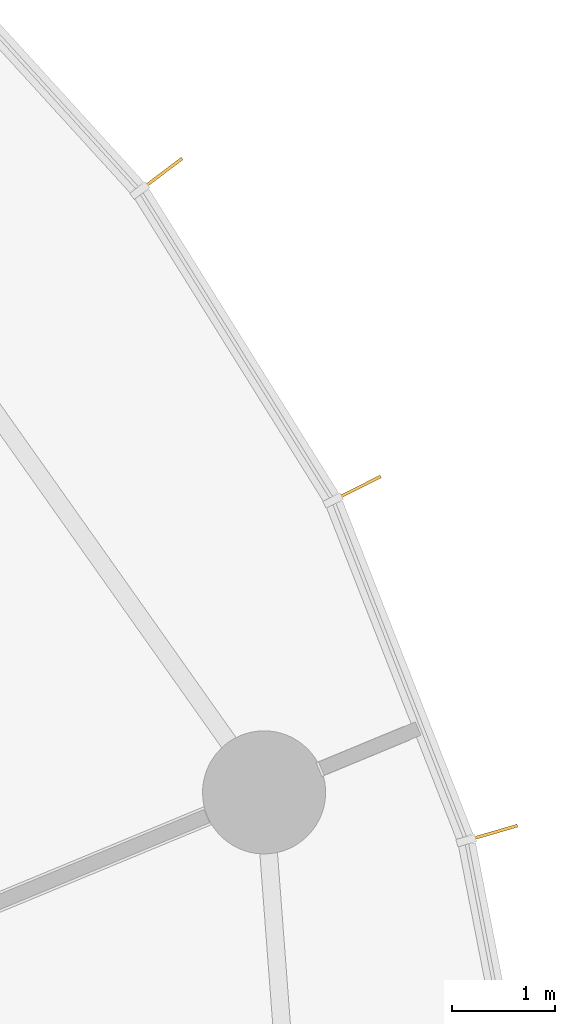
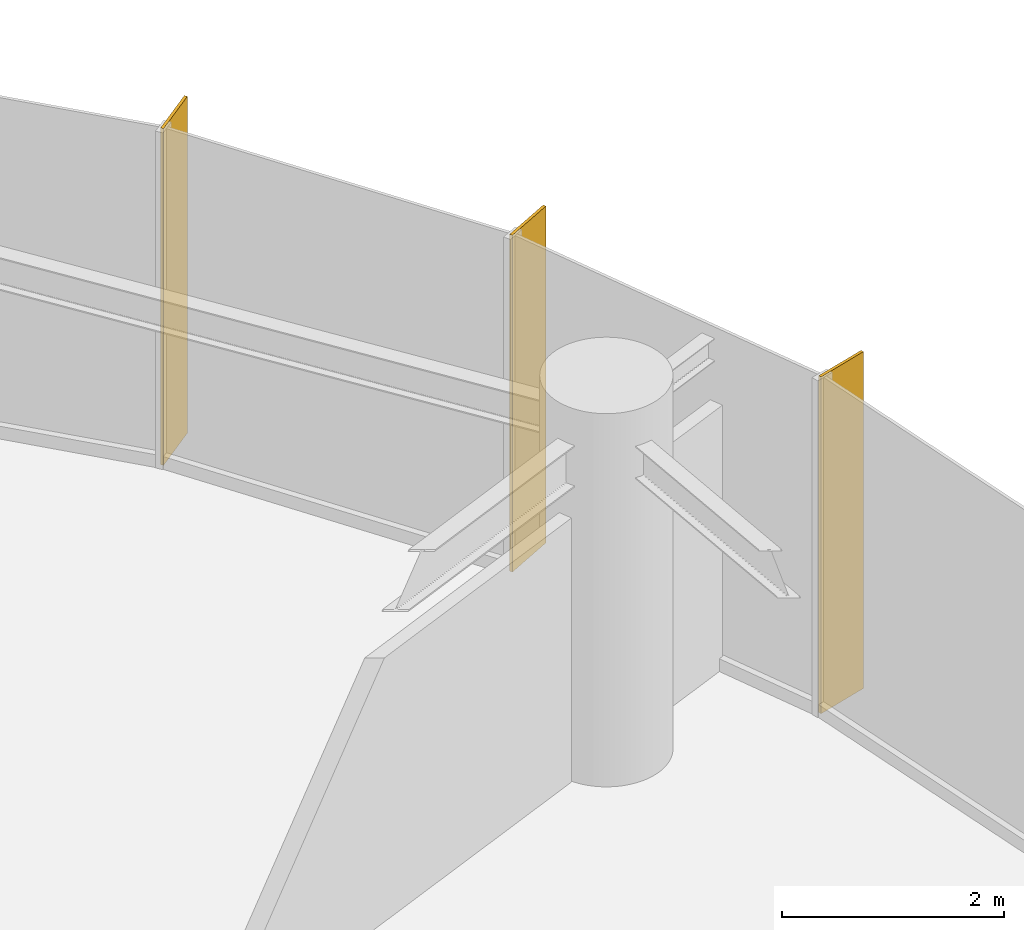
# One storey, part 17 of 17: 3 shading devices.
"""IFC4 building model written with IfcOpenShell, lengths in metres."""

from ifc_helpers import new_model, si_unit, direction, frame, origin, origin_2d, place, context, subcontext, project, spatial, rectangle, extrude, source, transform, mapped, material, material_profile, profile_set, type_object, element, save


model = new_model("IFC4")

# Units and contexts
model_context = context("Model", 3, precision=1e-05, world=origin(), true_north=direction((0.0, 1.0)))
body_context = subcontext(model_context, "Body", "Model", "MODEL_VIEW")
ifc_project = project(units=[si_unit("LENGTHUNIT", "METRE"), si_unit("AREAUNIT", "SQUARE_METRE"), si_unit("VOLUMEUNIT", "CUBIC_METRE"), si_unit("PLANEANGLEUNIT", "RADIAN"), si_unit("MASSUNIT", "GRAM", prefix="KILO")], contexts=[model_context])

# Site, building, storey
site_placement = place(None, origin())
site = spatial("IfcSite", under=ifc_project, at=site_placement, CompositionType="ELEMENT")
building_placement = place(site_placement, origin())
building = spatial("IfcBuilding", under=site, at=building_placement, Name="Spindrift Exchange Tower", CompositionType="ELEMENT")
storey_placement = place(building_placement, frame((0.0, 0.0, 100.300048828125)))
storey = spatial("IfcBuildingStorey", under=building, at=storey_placement, Name="L23", CompositionType="ELEMENT", Elevation=100.300048828125)

# Shading devices
ifc_material = material(Name="Bronze anodised aluminium", Category="aluminium")
ifc_material_profile = material_profile(ifc_material, rectangle(XDim=0.030029296875, YDim=0.550048828125, at=origin_2d()), Name="WIND FIN 30X550")
ifc_profile_set = profile_set([ifc_material_profile], Name="Bronze anodised aluminium")
shading_device_type = type_object("IfcShadingDeviceType", Name="WIND FIN 30X550", PredefinedType="USERDEFINED", material=ifc_profile_set)
shared_shape = source(origin(), body_context, "Body", "SweptSolid", [
    extrude(rectangle(XDim=0.030029296875, YDim=0.550048828125, at=origin_2d()), origin(), (0.0, 0.0, 1.0), 3.699951171875),
])
for number, where, z_axis, x_axis, name in (
    (1, (81.3466796875, 62.744384765625, 0.0), (0.0, 0.0, 1.0), (-0.448949423337, 0.893557169568, 0.0), "L23 wind fin 2"),
    (2, (79.4375, 65.804931640625, 0.0), (0.0, 0.0, 1.0), (-0.60364917416, 0.797250070264, 0.0), "L23 wind fin 3"),
    (3, (82.662841796875, 59.385498046875, 0.0), (0.0, 0.0, 1.0), (-0.279314563736, 0.96019965345, 0.0), "L23 wind fin 4"),
):
    element("IfcShadingDevice", number, at=place(storey_placement, frame(where, z_axis=z_axis, x_axis=x_axis)), inside=storey, type_object=shading_device_type, Name=name, ObjectType="FIN", PredefinedType="USERDEFINED", context=body_context, shape_type="MappedRepresentation", body=[
        mapped(shared_shape, transform((0.0, 0.0, 0.0), scale=1.0)),
    ])

save(model, "model.ifc")
